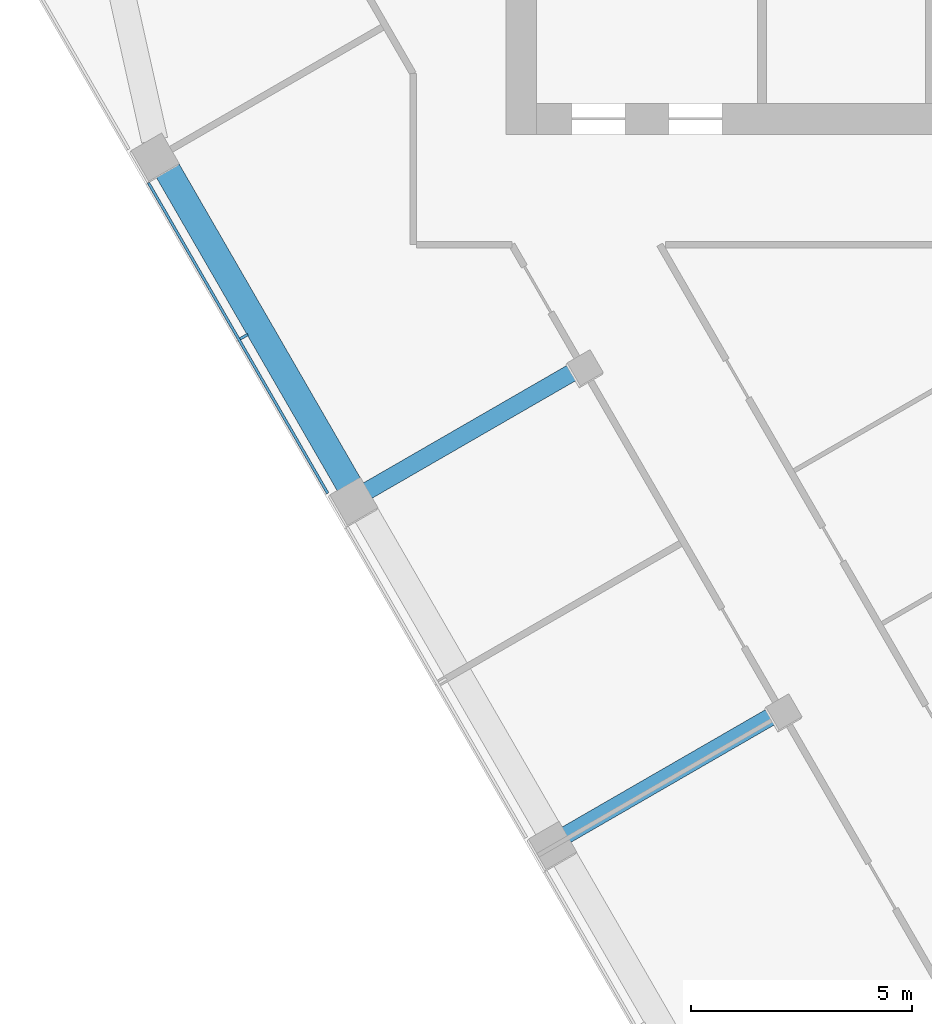
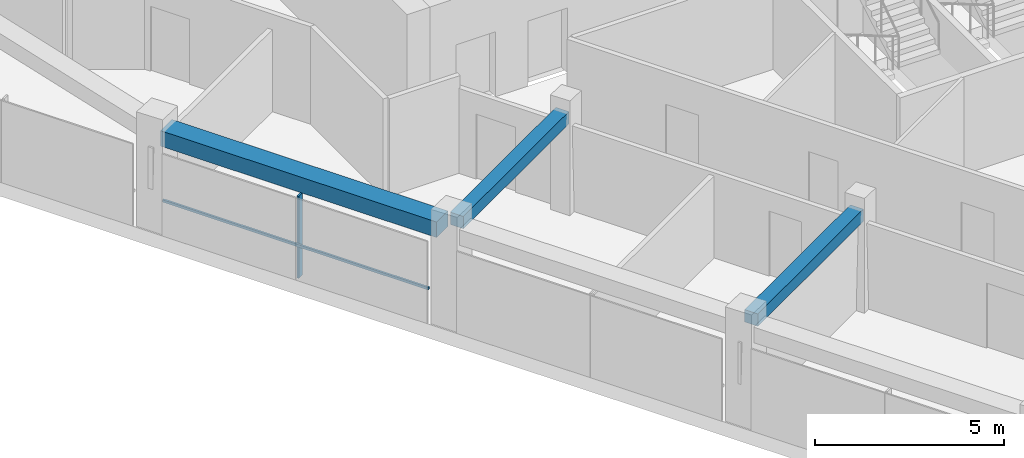
# One storey, part 3 of 13: 3 beams, 2 members, 1 element without a shape of its own.
"""IFC4 building model written with IfcOpenShell, lengths in metres."""

from ifc_helpers import new_model, si_unit, direction, frame, origin, origin_2d, place, context, subcontext, project, spatial, rectangle, extrude, material, layer, layer_set, material_profile, profile_set, type_object, element, aggregate, save


model = new_model("IFC4")

# Units and contexts
model_context = context("Model", 3, precision=1e-05, world=origin(), true_north=direction((0.0, 1.0)))
body_context = subcontext(model_context, "Body", "Model", "MODEL_VIEW")
ifc_project = project(units=[si_unit("LENGTHUNIT", "METRE"), si_unit("AREAUNIT", "SQUARE_METRE"), si_unit("VOLUMEUNIT", "CUBIC_METRE"), si_unit("PLANEANGLEUNIT", "RADIAN"), si_unit("MASSUNIT", "GRAM", prefix="KILO")], contexts=[model_context])

# Site, building, storey
site_placement = place(None, origin())
site = spatial("IfcSite", under=ifc_project, at=site_placement, CompositionType="ELEMENT")
building_placement = place(site_placement, origin())
building = spatial("IfcBuilding", under=site, at=building_placement, Name="Altiplano Prism Tower", CompositionType="ELEMENT")
storey_placement = place(building_placement, frame((0.0, 0.0, 201.60009765625)))
storey = spatial("IfcBuildingStorey", under=building, at=storey_placement, Name="L52", CompositionType="ELEMENT", Elevation=201.60009765625)

# Curtain wall, members
ifc_material_1 = material(Name="Aluminium and glass", Category="aluminium")
ifc_layer = layer(ifc_material_1, 0.303955078125)
ifc_layer_set = layer_set([ifc_layer], Name="Aluminium and glass")
curtain_wall_type = type_object("IfcCurtainWallType", Name="CW2 lounge-band unitised glazing", PredefinedType="NOTDEFINED", material=ifc_layer_set)
curtain_wall_placement = place(storey_placement, origin())
curtain_wall = element("IfcCurtainWall", 1, at=curtain_wall_placement, inside=storey, type_object=curtain_wall_type, Name="CW2 curtain wall south-west face L52", PredefinedType="NOTDEFINED")
ifc_material_2 = material(Name="Aluminium", Category="aluminium")
ifc_material_profile_1 = material_profile(ifc_material_2, rectangle(XDim=0.199951171875, YDim=0.06005859375, at=origin_2d()), Name="CW2 mullion 60 x 200")
ifc_profile_set_1 = profile_set([ifc_material_profile_1], Name="Aluminium")
member_type_1 = type_object("IfcMemberType", Name="CW2 mullion 60 x 200", PredefinedType="MULLION", material=ifc_profile_set_1)
member_1_placement = place(storey_placement, frame((66.36962890625, 88.11572265625, 0.0), z_axis=(0.0, 0.0, 1.0), x_axis=(0.866025408017, 0.499999992669, 0.0)))
member_1 = element("IfcMember", 2, at=member_1_placement, type_object=member_type_1, Name="CW2 mullion", PredefinedType="MULLION", context=body_context, shape_type="SweptSolid", body=[
    extrude(rectangle(XDim=0.199951171875, YDim=0.06005859375, at=origin_2d()), origin(), (0.0, 0.0, 1.0), 2.64990234375),
])
ifc_material_profile_2 = material_profile(ifc_material_2, rectangle(XDim=0.06005859375, YDim=0.080078125, at=origin_2d()), Name="CW2 transom 80 x 60")
ifc_profile_set_2 = profile_set([ifc_material_profile_2], Name="Aluminium")
member_type_2 = type_object("IfcMemberType", Name="CW2 transom 80 x 60", PredefinedType="USERDEFINED", material=ifc_profile_set_2)
member_2_placement = place(storey_placement, frame((64.207275390625, 91.600830078125, 1.099853515625), z_axis=(0.50001308349, -0.866017849896, 0.0), x_axis=(0.866017849896, 0.50001308349, 0.0)))
member_2 = element("IfcMember", 3, at=member_2_placement, type_object=member_type_2, Name="CW2 transom", ObjectType="TRANSOM", PredefinedType="USERDEFINED", context=body_context, shape_type="SweptSolid", body=[
    extrude(rectangle(XDim=0.06005859375, YDim=0.080078125, at=origin_2d()), origin(), (0.0, 0.0, 1.0), 8.119873046875),
])
aggregate(curtain_wall, [member_1, member_2])

# Beams
ifc_material_3 = material(Name="Concrete C60/75", Category="concrete")
ifc_material_profile_3 = material_profile(ifc_material_3, rectangle(XDim=0.60009765625, YDim=0.5, at=origin_2d()), Name="Edge beam 600x500")
ifc_profile_set_3 = profile_set([ifc_material_profile_3], Name="Concrete C60/75")
beam_type_1 = type_object("IfcBeamType", Name="Edge beam 600x500", PredefinedType="SPANDREL", material=ifc_profile_set_3)
beam_placement = place(storey_placement, frame((64.552734375, 92.031982421875, 2.89990234375), z_axis=(0.499993714791, -0.866029032521, 0.0), x_axis=(0.866029032521, 0.499993714791, 0.0)))
element("IfcBeam", 4, at=beam_placement, inside=storey, type_object=beam_type_1, Name="Edge beam P11-P12 L53", PredefinedType="SPANDREL", context=body_context, shape_type="SweptSolid", body=[
    extrude(rectangle(XDim=0.60009765625, YDim=0.5, at=origin_2d()), origin(), (0.0, 0.0, 1.0), 8.43994140625),
])
ifc_material_profile_4 = material_profile(ifc_material_3, rectangle(XDim=0.39990234375, YDim=0.39990234375, at=origin_2d()), Name="Tie beam 400x400")
ifc_profile_set_4 = profile_set([ifc_material_profile_4], Name="Concrete C60/75")
beam_type_2 = type_object("IfcBeamType", Name="Tie beam 400x400", PredefinedType="BEAM", material=ifc_profile_set_4)
for number, where, z_axis, x_axis, name in (
    (5, (73.996337890625, 87.4150390625, 2.949951171875), (-0.866041588165, -0.499971966783, 0.0), (0.499971966783, -0.866041588165, 0.0), "Tie beam I12 L53"),
    (6, (78.496337890625, 79.620849609375, 2.949951171875), (-0.866041588165, -0.499971966783, 0.0), (0.499971966783, -0.866041588165, 0.0), "Tie beam I13 L53"),
):
    element("IfcBeam", number, at=place(storey_placement, frame(where, z_axis=z_axis, x_axis=x_axis)), inside=storey, type_object=beam_type_2, Name=name, PredefinedType="BEAM", context=body_context, shape_type="SweptSolid", body=[
        extrude(rectangle(XDim=0.39990234375, YDim=0.39990234375, at=origin_2d()), origin(), (0.0, 0.0, 1.0), 5.590087890625),
    ])

save(model, "model.ifc")
